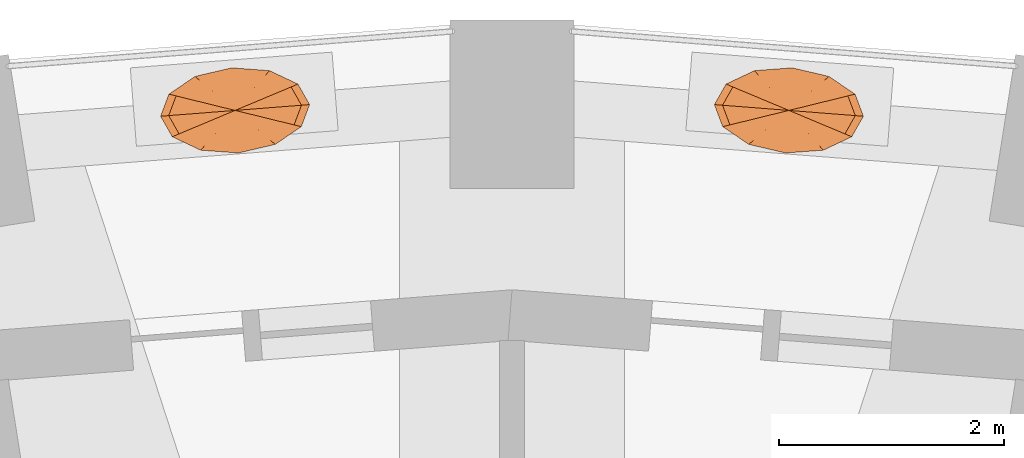
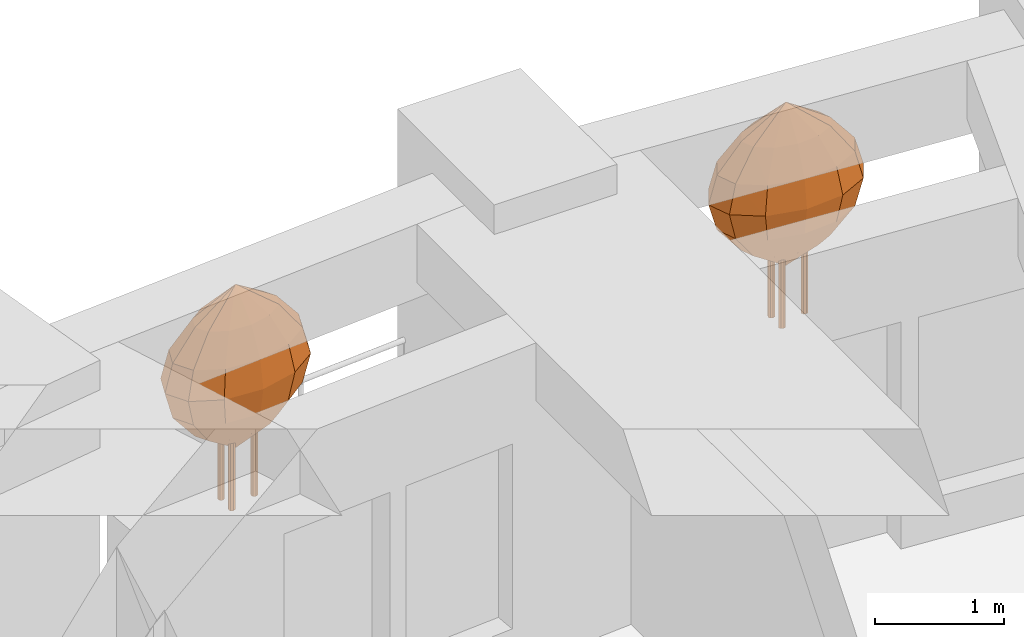
# One storey, part 13 of 13: 2 geographic elements.
"""IFC4 building model written with IfcOpenShell, lengths in metres."""

import ifcopenshell
import ifcopenshell.guid

model = None  # the IFC model being written
_history = None  # IfcOwnerHistory: only IFC2X3 demands one
_inside = {}  # id of a spatial element -> (the spatial element, [elements in it])
_under = {}  # id of a project, library or spatial element -> (it, [spatial elements below it])
_declared = {}  # id of a project -> (the project, [libraries it declares])
_typed = {}  # id of a type object -> (the type object, [elements of that type])
_made_of = {}  # id of a material, layer set ... -> (it, [elements and type objects made of it])


def new_model(schema):
    """Start an empty IFC model of exactly this schema.

    Asked for "IFC4X3", IfcOpenShell would pick the latest addendum, in which some entities
    have other attributes; the version numbers below select the first issue.
    IFC2X3 requires an IfcOwnerHistory on every rooted entity: one is made here for all.
    """
    global model, _history
    if schema == "IFC4X3":
        model = ifcopenshell.file(schema_version=(4, 3, 0, 0))
    else:
        model = ifcopenshell.file(schema=schema)
    _inside.clear()
    _under.clear()
    _declared.clear()
    _typed.clear()
    _made_of.clear()
    _history = None
    if model.schema == "IFC2X3":
        org = make("IfcOrganization", Name="unknown")
        user = make(
            "IfcPersonAndOrganization",
            ThePerson=make("IfcPerson", FamilyName="unknown"),
            TheOrganization=org,
        )
        app = make(
            "IfcApplication",
            ApplicationDeveloper=org,
            Version="unknown",
            ApplicationFullName="unknown",
            ApplicationIdentifier="unknown",
        )
        _history = make(
            "IfcOwnerHistory",
            OwningUser=user,
            OwningApplication=app,
            ChangeAction="ADDED",
            CreationDate=0,
        )
    return model


def make(cls, **values):
    """One entity of the class cls with the attributes given. An attribute that is None is left unset."""
    return model.create_entity(
        cls, **{name: value for name, value in values.items() if value is not None}
    )


def rooted(cls, **values):
    """An entity with a GlobalId (a new one), such as an element, a storey or a relation."""
    return make(cls, GlobalId=ifcopenshell.guid.new(), OwnerHistory=_history, **values)


def si_unit(unit_type, name, prefix=None):
    """IfcSIUnit, for example si_unit("LENGTHUNIT", "METRE", prefix="MILLI")."""
    return make("IfcSIUnit", UnitType=unit_type, Prefix=prefix, Name=name)


def assignment(units):
    """IfcUnitAssignment: the units of a project."""
    return None if units is None else make("IfcUnitAssignment", Units=units)


def point(xyz):
    """IfcCartesianPoint."""
    return None if xyz is None else make("IfcCartesianPoint", Coordinates=xyz)


def direction(xyz):
    """IfcDirection."""
    return None if xyz is None else make("IfcDirection", DirectionRatios=xyz)


def frame(location, z_axis=None, x_axis=None):
    """IfcAxis2Placement3D, a coordinate frame: its origin and axes. An axis left out is left unset."""
    return make(
        "IfcAxis2Placement3D",
        Location=point(location),
        Axis=direction(z_axis),
        RefDirection=direction(x_axis),
    )


def origin():
    """The frame at (0, 0, 0) with its axes left unset."""
    return frame((0.0, 0.0, 0.0))


def place(relative_to, where):
    """IfcLocalPlacement: puts the frame where relative to a parent placement (None: the world)."""
    return make(
        "IfcLocalPlacement", PlacementRelTo=relative_to, RelativePlacement=where
    )


def context(
    kind, dimensions, precision=None, world=None, true_north=None, identifier=None
):
    """IfcGeometricRepresentationContext, for example the 3D "Model" context."""
    return make(
        "IfcGeometricRepresentationContext",
        ContextIdentifier=identifier,
        ContextType=kind,
        CoordinateSpaceDimension=dimensions,
        Precision=precision,
        WorldCoordinateSystem=world,
        TrueNorth=true_north,
    )


def subcontext(parent, identifier, kind, view, scale=None):
    """IfcGeometricRepresentationSubContext, for example "Body" below "Model"."""
    return make(
        "IfcGeometricRepresentationSubContext",
        ContextIdentifier=identifier,
        ContextType=kind,
        ParentContext=parent,
        TargetScale=scale,
        TargetView=view,
    )


def project(units=None, contexts=None):
    """IfcProject with its units and contexts."""
    return rooted(
        "IfcProject",
        Name="project",
        RepresentationContexts=contexts,
        UnitsInContext=assignment(units),
    )


def spatial(cls, under=None, at=None, **own):
    """A site, building, storey or space (cls), placed at a placement, below another one or the project."""
    s = rooted(cls, ObjectPlacement=at, **own)
    if under is not None:
        _under.setdefault(under.id(), (under, []))[1].append(s)
    return s


def faces_of(points, faces, orient=None, outer=None):
    """IfcFace entities. A face is a list of loops; a loop is a list of indices into points, from 0.

    orient and outer hold one flag for each loop. By default every Orientation is true, the
    first loop of a face is its IfcFaceOuterBound and the others are IfcFaceBound.
    """
    made = []
    for i, loops in enumerate(faces):
        bounds = []
        for j, loop in enumerate(loops):
            is_outer = j == 0 if outer is None else outer[i][j]
            bounds.append(
                make(
                    "IfcFaceOuterBound" if is_outer else "IfcFaceBound",
                    Bound=make("IfcPolyLoop", Polygon=[points[k] for k in loop]),
                    Orientation=True if orient is None else orient[i][j],
                )
            )
        made.append(make("IfcFace", Bounds=bounds))
    return made


def faceted_brep(points, faces, orient=None, outer=None, voids=None):
    """IfcFacetedBrep: a solid bounded by flat faces; with voids (closed shells), ...WithVoids."""
    shared = [point(p) for p in points]
    hull = make("IfcClosedShell", CfsFaces=faces_of(shared, faces, orient, outer))
    if voids is None:
        return make("IfcFacetedBrep", Outer=hull)
    return make(
        "IfcFacetedBrepWithVoids",
        Outer=hull,
        Voids=[
            make(cls, CfsFaces=faces_of(shared, fs, o, b)) for cls, fs, o, b in voids
        ],
    )


def shape(context_of_items, identifier, shape_type, items):
    """IfcShapeRepresentation: the items that make up one representation, for example the "Body"."""
    return make(
        "IfcShapeRepresentation",
        ContextOfItems=context_of_items,
        RepresentationIdentifier=identifier,
        RepresentationType=shape_type,
        Items=items,
    )


def material(Name=None, Category=None):
    """IfcMaterial."""
    return make("IfcMaterial", Name=Name, Category=Category)


def constituent(of_material, Name=None, Category=None, fraction=None):
    """IfcMaterialConstituent: one of the materials an element consists of."""
    return make(
        "IfcMaterialConstituent",
        Name=Name,
        Material=of_material,
        Fraction=fraction,
        Category=Category,
    )


def constituent_set(constituents=None, Name=None):
    """IfcMaterialConstituentSet."""
    return make(
        "IfcMaterialConstituentSet", Name=Name, MaterialConstituents=constituents
    )


def made_of(thing, what):
    """Note that an element or type object is made of a material, layer set ...; save() writes the relation."""
    if what is not None:
        _made_of.setdefault(what.id(), (what, []))[1].append(thing)
    return thing


def type_object(cls, material=None, **own):
    """A type object (cls), such as IfcWallType, which elements share."""
    return made_of(rooted(cls, **own), material)


def element(
    cls,
    number,
    at=None,
    inside=None,
    cuts=None,
    type_object=None,
    material=None,
    context=None,
    identifier="Body",
    shape_type=None,
    held_by="IfcProductDefinitionShape",
    body=None,
    shapes=None,
    **own,
):
    """One element of the class cls, such as IfcWall. Its Tag is "e" and its number.

    at: its placement. inside: the storey or other place that contains it. cuts: it is an
    opening in that element (IfcRelVoidsElement). A single representation is given by context,
    identifier, shape_type and body (its items); several are given by shapes. held_by: the class
    of the entity that holds the representations. save() writes the other relations.
    """
    e = rooted(cls, Tag="e%d" % number, ObjectPlacement=at, **own)
    if body is not None:
        shapes = [shape(context, identifier, shape_type, body)]
    if shapes is not None:
        e.Representation = make(held_by, Representations=shapes)
    if inside is not None:
        _inside.setdefault(inside.id(), (inside, []))[1].append(e)
    if cuts is not None:
        rooted(
            "IfcRelVoidsElement", RelatingBuildingElement=cuts, RelatedOpeningElement=e
        )
    if type_object is not None:
        _typed.setdefault(type_object.id(), (type_object, []))[1].append(e)
    return made_of(e, material)


def aggregate(whole, parts):
    """IfcRelAggregates: a whole, such as a stair, and the parts it consists of."""
    return rooted("IfcRelAggregates", RelatingObject=whole, RelatedObjects=parts)


def save(model, path):
    """Write the relations noted so far, then the file.

    IfcRelAggregates (storeys below a building ...), IfcRelContainedInSpatialStructure (elements
    in a storey), IfcRelDefinesByType, IfcRelAssociatesMaterial and IfcRelDeclares: one each for
    every whole, place, type object, material and project.
    """
    for whole, parts in _under.values():
        aggregate(whole, parts)
    for where, things in _inside.values():
        rooted(
            "IfcRelContainedInSpatialStructure",
            RelatedElements=things,
            RelatingStructure=where,
        )
    for kind, things in _typed.values():
        rooted("IfcRelDefinesByType", RelatedObjects=things, RelatingType=kind)
    for what, things in _made_of.values():
        rooted("IfcRelAssociatesMaterial", RelatedObjects=things, RelatingMaterial=what)
    for by, libraries in _declared.values():
        rooted("IfcRelDeclares", RelatingContext=by, RelatedDefinitions=libraries)
    model.write(path)


model = new_model("IFC4")

# Units and contexts
model_context = context("Model", 3, precision=1e-05, world=origin(), true_north=direction((0.0, 1.0)))
body_context = subcontext(model_context, "Body", "Model", "MODEL_VIEW")
ifc_project = project(units=[si_unit("LENGTHUNIT", "METRE"), si_unit("AREAUNIT", "SQUARE_METRE"), si_unit("VOLUMEUNIT", "CUBIC_METRE"), si_unit("PLANEANGLEUNIT", "RADIAN"), si_unit("MASSUNIT", "GRAM", prefix="KILO")], contexts=[model_context])

# Site, building, storey
site_placement = place(None, origin())
site = spatial("IfcSite", under=ifc_project, at=site_placement, CompositionType="ELEMENT")
building_placement = place(site_placement, origin())
building = spatial("IfcBuilding", under=site, at=building_placement, Name="Taillehof Tower", CompositionType="ELEMENT")
storey_placement = place(building_placement, frame((0.0, 0.0, 54.699951171875)))
storey = spatial("IfcBuildingStorey", under=building, at=storey_placement, Name="L14", CompositionType="ELEMENT", Elevation=54.699951171875)

# Geographic elements
ifc_material_1 = material(Name="Tree bark", Category="timber")
ifc_constituent_1 = constituent(ifc_material_1, Name="Trunk", Category="timber")
ifc_material_2 = material(Name="Tree foliage")
ifc_constituent_2 = constituent(ifc_material_2, Name="Crown")
ifc_constituent_set = constituent_set(constituents=[ifc_constituent_1, ifc_constituent_2], Name="Tree TR3 Multi-stem serviceberry")
geographic_element_type = type_object("IfcGeographicElementType", Name="Tree TR3 Multi-stem serviceberry", PredefinedType="USERDEFINED", material=ifc_constituent_set)
geographic_element_1_placement = place(storey_placement, frame((2.463623046875, 25.195556640625, 0.75)))
element("IfcGeographicElement", 1, at=geographic_element_1_placement, inside=storey, type_object=geographic_element_type, Name="Tree TR3 Multi-stem serviceberry", ObjectType="TREE", PredefinedType="USERDEFINED", context=body_context, shape_type="Brep", body=[
    faceted_brep([(0.195068359375, 0.0, 0.0), (0.186767578125, 0.0205078125, 0.0), (0.186767578125, 0.0205078125, 1.04248046875), (0.195068359375, 0.0, 1.04248046875), (0.166259765625, 0.02880859375, 0.0), (0.166259765625, 0.02880859375, 1.04248046875), (0.145751953125, 0.0205078125, 0.0), (0.145751953125, 0.0205078125, 1.04248046875), (0.137451171875, 0.0, 0.0), (0.137451171875, 0.0, 1.04248046875), (0.145751953125, -0.0205078125, 0.0), (0.145751953125, -0.0205078125, 1.04248046875), (0.166259765625, -0.02880859375, 0.0), (0.166259765625, -0.02880859375, 1.04248046875), (0.186767578125, -0.0205078125, 0.0), (0.186767578125, -0.0205078125, 1.04248046875)], [[[0, 1, 2, 3]], [[1, 4, 5, 2]], [[4, 6, 7, 5]], [[6, 8, 9, 7]], [[8, 10, 11, 9]], [[10, 12, 13, 11]], [[12, 14, 15, 13]], [[14, 0, 3, 15]], [[14, 12, 10, 8, 6, 4, 1, 0]], [[3, 2, 5, 7, 9, 11, 13, 15]]]),
    faceted_brep([(-0.05419921875, 0.082275390625, 0.0), (-0.062744140625, 0.102783203125, 0.0), (-0.062744140625, 0.102783203125, 1.04248046875), (-0.05419921875, 0.082275390625, 1.04248046875), (-0.0830078125, 0.111083984375, 0.0), (-0.0830078125, 0.111083984375, 1.04248046875), (-0.103515625, 0.102783203125, 0.0), (-0.103515625, 0.102783203125, 1.04248046875), (-0.112060546875, 0.082275390625, 0.0), (-0.112060546875, 0.082275390625, 1.04248046875), (-0.103515625, 0.061767578125, 0.0), (-0.103515625, 0.061767578125, 1.04248046875), (-0.0830078125, 0.053466796875, 0.0), (-0.0830078125, 0.053466796875, 1.04248046875), (-0.062744140625, 0.061767578125, 0.0), (-0.062744140625, 0.061767578125, 1.04248046875)], [[[0, 1, 2, 3]], [[1, 4, 5, 2]], [[4, 6, 7, 5]], [[6, 8, 9, 7]], [[8, 10, 11, 9]], [[10, 12, 13, 11]], [[12, 14, 15, 13]], [[14, 0, 3, 15]], [[14, 12, 10, 8, 6, 4, 1, 0]], [[3, 2, 5, 7, 9, 11, 13, 15]]]),
    faceted_brep([(-0.05419921875, -0.082275390625, 0.0), (-0.062744140625, -0.061767578125, 0.0), (-0.062744140625, -0.061767578125, 1.04248046875), (-0.05419921875, -0.082275390625, 1.04248046875), (-0.0830078125, -0.053466796875, 0.0), (-0.0830078125, -0.053466796875, 1.04248046875), (-0.103515625, -0.061767578125, 0.0), (-0.103515625, -0.061767578125, 1.04248046875), (-0.112060546875, -0.082275390625, 0.0), (-0.112060546875, -0.082275390625, 1.04248046875), (-0.103515625, -0.102783203125, 0.0), (-0.103515625, -0.102783203125, 1.04248046875), (-0.0830078125, -0.111083984375, 0.0), (-0.0830078125, -0.111083984375, 1.04248046875), (-0.062744140625, -0.102783203125, 0.0), (-0.062744140625, -0.102783203125, 1.04248046875)], [[[0, 1, 2, 3]], [[1, 4, 5, 2]], [[4, 6, 7, 5]], [[6, 8, 9, 7]], [[8, 10, 11, 9]], [[10, 12, 13, 11]], [[12, 14, 15, 13]], [[14, 0, 3, 15]], [[14, 12, 10, 8, 6, 4, 1, 0]], [[3, 2, 5, 7, 9, 11, 13, 15]]]),
    faceted_brep([(0.0, 0.0, 0.5), (-0.33837890625, -0.0830078125, 0.75830078125), (-0.380859375, 0.02978515625, 0.75830078125), (-0.205078125, -0.173583984375, 0.75830078125), (-0.01708984375, -0.217529296875, 0.75830078125), (0.175537109375, -0.203369140625, 0.75830078125), (0.3212890625, -0.134521484375, 0.75830078125), (0.380859375, -0.02978515625, 0.75830078125), (0.33837890625, 0.0830078125, 0.75830078125), (0.205078125, 0.173583984375, 0.75830078125), (0.01708984375, 0.217529296875, 0.75830078125), (-0.175537109375, 0.203369140625, 0.75830078125), (-0.3212890625, 0.134521484375, 0.75830078125), (-0.52490234375, -0.12890625, 1.0166015625), (-0.5908203125, 0.046142578125, 1.0166015625), (-0.318359375, -0.269287109375, 1.0166015625), (-0.0263671875, -0.337646484375, 1.0166015625), (0.272705078125, -0.3154296875, 1.0166015625), (0.49853515625, -0.208740234375, 1.0166015625), (0.5908203125, -0.046142578125, 1.0166015625), (0.52490234375, 0.12890625, 1.0166015625), (0.318359375, 0.269287109375, 1.0166015625), (0.0263671875, 0.337646484375, 1.0166015625), (-0.272705078125, 0.3154296875, 1.0166015625), (-0.49853515625, 0.208740234375, 1.0166015625), (-0.5888671875, -0.14453125, 1.27490234375), (-0.6630859375, 0.0517578125, 1.27490234375), (-0.357177734375, -0.30224609375, 1.27490234375), (-0.029541015625, -0.37890625, 1.27490234375), (0.305908203125, -0.35400390625, 1.27490234375), (0.559326171875, -0.234375, 1.27490234375), (0.6630859375, -0.0517578125, 1.27490234375), (0.5888671875, 0.14453125, 1.27490234375), (0.357177734375, 0.30224609375, 1.27490234375), (0.029541015625, 0.37890625, 1.27490234375), (-0.305908203125, 0.35400390625, 1.27490234375), (-0.559326171875, 0.234375, 1.27490234375), (-0.52490234375, -0.12890625, 1.533447265625), (-0.5908203125, 0.046142578125, 1.533447265625), (-0.318359375, -0.269287109375, 1.533447265625), (-0.0263671875, -0.337646484375, 1.533447265625), (0.272705078125, -0.3154296875, 1.533447265625), (0.49853515625, -0.208740234375, 1.533447265625), (0.5908203125, -0.046142578125, 1.533447265625), (0.52490234375, 0.12890625, 1.533447265625), (0.318359375, 0.269287109375, 1.533447265625), (0.0263671875, 0.337646484375, 1.533447265625), (-0.272705078125, 0.3154296875, 1.533447265625), (-0.49853515625, 0.208740234375, 1.533447265625), (-0.33837890625, -0.0830078125, 1.791748046875), (-0.380859375, 0.02978515625, 1.791748046875), (-0.205078125, -0.173583984375, 1.791748046875), (-0.01708984375, -0.217529296875, 1.791748046875), (0.175537109375, -0.203369140625, 1.791748046875), (0.3212890625, -0.134521484375, 1.791748046875), (0.380859375, -0.02978515625, 1.791748046875), (0.33837890625, 0.0830078125, 1.791748046875), (0.205078125, 0.173583984375, 1.791748046875), (0.01708984375, 0.217529296875, 1.791748046875), (-0.175537109375, 0.203369140625, 1.791748046875), (-0.3212890625, 0.134521484375, 1.791748046875), (0.0, 0.0, 2.050048828125)], [[[0, 1, 2]], [[0, 3, 1]], [[0, 4, 3]], [[0, 5, 4]], [[0, 6, 5]], [[0, 7, 6]], [[0, 8, 7]], [[0, 9, 8]], [[0, 10, 9]], [[0, 11, 10]], [[0, 12, 11]], [[0, 2, 12]], [[2, 1, 13, 14]], [[1, 3, 15, 13]], [[3, 4, 16, 15]], [[4, 5, 17, 16]], [[5, 6, 18, 17]], [[6, 7, 19, 18]], [[7, 8, 20, 19]], [[8, 9, 21, 20]], [[9, 10, 22, 21]], [[10, 11, 23, 22]], [[11, 12, 24, 23]], [[12, 2, 14, 24]], [[14, 13, 25, 26]], [[13, 15, 27, 25]], [[15, 16, 28, 27]], [[16, 17, 29, 28]], [[17, 18, 30, 29]], [[18, 19, 31, 30]], [[19, 20, 32, 31]], [[20, 21, 33, 32]], [[21, 22, 34, 33]], [[22, 23, 35, 34]], [[23, 24, 36, 35]], [[24, 14, 26, 36]], [[26, 25, 37, 38]], [[25, 27, 39, 37]], [[27, 28, 40, 39]], [[28, 29, 41, 40]], [[29, 30, 42, 41]], [[30, 31, 43, 42]], [[31, 32, 44, 43]], [[32, 33, 45, 44]], [[33, 34, 46, 45]], [[34, 35, 47, 46]], [[35, 36, 48, 47]], [[36, 26, 38, 48]], [[38, 37, 49, 50]], [[37, 39, 51, 49]], [[39, 40, 52, 51]], [[40, 41, 53, 52]], [[41, 42, 54, 53]], [[42, 43, 55, 54]], [[43, 44, 56, 55]], [[44, 45, 57, 56]], [[45, 46, 58, 57]], [[46, 47, 59, 58]], [[47, 48, 60, 59]], [[48, 38, 50, 60]], [[50, 49, 61]], [[49, 51, 61]], [[51, 52, 61]], [[52, 53, 61]], [[53, 54, 61]], [[54, 55, 61]], [[55, 56, 61]], [[56, 57, 61]], [[57, 58, 61]], [[58, 59, 61]], [[59, 60, 61]], [[60, 50, 61]]]),
])
geographic_element_2_placement = place(storey_placement, frame((-2.463623046875, 25.195556640625, 0.75)))
element("IfcGeographicElement", 2, at=geographic_element_2_placement, inside=storey, type_object=geographic_element_type, Name="Tree TR3 Multi-stem serviceberry", ObjectType="TREE", PredefinedType="USERDEFINED", context=body_context, shape_type="Brep", body=[
    faceted_brep([(0.195068359375, 0.0, 0.0), (0.186767578125, 0.0205078125, 0.0), (0.186767578125, 0.0205078125, 1.04248046875), (0.195068359375, 0.0, 1.04248046875), (0.166259765625, 0.02880859375, 0.0), (0.166259765625, 0.02880859375, 1.04248046875), (0.145751953125, 0.0205078125, 0.0), (0.145751953125, 0.0205078125, 1.04248046875), (0.137451171875, 0.0, 0.0), (0.137451171875, 0.0, 1.04248046875), (0.145751953125, -0.0205078125, 0.0), (0.145751953125, -0.0205078125, 1.04248046875), (0.166259765625, -0.02880859375, 0.0), (0.166259765625, -0.02880859375, 1.04248046875), (0.186767578125, -0.0205078125, 0.0), (0.186767578125, -0.0205078125, 1.04248046875)], [[[0, 1, 2, 3]], [[1, 4, 5, 2]], [[4, 6, 7, 5]], [[6, 8, 9, 7]], [[8, 10, 11, 9]], [[10, 12, 13, 11]], [[12, 14, 15, 13]], [[14, 0, 3, 15]], [[14, 12, 10, 8, 6, 4, 1, 0]], [[3, 2, 5, 7, 9, 11, 13, 15]]]),
    faceted_brep([(-0.05419921875, 0.082275390625, 0.0), (-0.062744140625, 0.102783203125, 0.0), (-0.062744140625, 0.102783203125, 1.04248046875), (-0.05419921875, 0.082275390625, 1.04248046875), (-0.0830078125, 0.111083984375, 0.0), (-0.0830078125, 0.111083984375, 1.04248046875), (-0.103515625, 0.102783203125, 0.0), (-0.103515625, 0.102783203125, 1.04248046875), (-0.112060546875, 0.082275390625, 0.0), (-0.112060546875, 0.082275390625, 1.04248046875), (-0.103515625, 0.061767578125, 0.0), (-0.103515625, 0.061767578125, 1.04248046875), (-0.0830078125, 0.053466796875, 0.0), (-0.0830078125, 0.053466796875, 1.04248046875), (-0.062744140625, 0.061767578125, 0.0), (-0.062744140625, 0.061767578125, 1.04248046875)], [[[0, 1, 2, 3]], [[1, 4, 5, 2]], [[4, 6, 7, 5]], [[6, 8, 9, 7]], [[8, 10, 11, 9]], [[10, 12, 13, 11]], [[12, 14, 15, 13]], [[14, 0, 3, 15]], [[14, 12, 10, 8, 6, 4, 1, 0]], [[3, 2, 5, 7, 9, 11, 13, 15]]]),
    faceted_brep([(-0.05419921875, -0.082275390625, 0.0), (-0.062744140625, -0.061767578125, 0.0), (-0.062744140625, -0.061767578125, 1.04248046875), (-0.05419921875, -0.082275390625, 1.04248046875), (-0.0830078125, -0.053466796875, 0.0), (-0.0830078125, -0.053466796875, 1.04248046875), (-0.103515625, -0.061767578125, 0.0), (-0.103515625, -0.061767578125, 1.04248046875), (-0.112060546875, -0.082275390625, 0.0), (-0.112060546875, -0.082275390625, 1.04248046875), (-0.103515625, -0.102783203125, 0.0), (-0.103515625, -0.102783203125, 1.04248046875), (-0.0830078125, -0.111083984375, 0.0), (-0.0830078125, -0.111083984375, 1.04248046875), (-0.062744140625, -0.102783203125, 0.0), (-0.062744140625, -0.102783203125, 1.04248046875)], [[[0, 1, 2, 3]], [[1, 4, 5, 2]], [[4, 6, 7, 5]], [[6, 8, 9, 7]], [[8, 10, 11, 9]], [[10, 12, 13, 11]], [[12, 14, 15, 13]], [[14, 0, 3, 15]], [[14, 12, 10, 8, 6, 4, 1, 0]], [[3, 2, 5, 7, 9, 11, 13, 15]]]),
    faceted_brep([(0.0, 0.0, 0.5), (-0.3212890625, -0.134521484375, 0.75830078125), (-0.380859375, -0.02978515625, 0.75830078125), (-0.175537109375, -0.203369140625, 0.75830078125), (0.01708984375, -0.217529296875, 0.75830078125), (0.205078125, -0.173583984375, 0.75830078125), (0.33837890625, -0.0830078125, 0.75830078125), (0.380859375, 0.02978515625, 0.75830078125), (0.3212890625, 0.134521484375, 0.75830078125), (0.175537109375, 0.203369140625, 0.75830078125), (-0.01708984375, 0.217529296875, 0.75830078125), (-0.205078125, 0.173583984375, 0.75830078125), (-0.33837890625, 0.0830078125, 0.75830078125), (-0.49853515625, -0.208740234375, 1.0166015625), (-0.5908203125, -0.046142578125, 1.0166015625), (-0.272705078125, -0.3154296875, 1.0166015625), (0.0263671875, -0.337646484375, 1.0166015625), (0.318359375, -0.269287109375, 1.0166015625), (0.52490234375, -0.12890625, 1.0166015625), (0.5908203125, 0.046142578125, 1.0166015625), (0.49853515625, 0.208740234375, 1.0166015625), (0.272705078125, 0.3154296875, 1.0166015625), (-0.0263671875, 0.337646484375, 1.0166015625), (-0.318359375, 0.269287109375, 1.0166015625), (-0.52490234375, 0.12890625, 1.0166015625), (-0.559326171875, -0.234375, 1.27490234375), (-0.6630859375, -0.0517578125, 1.27490234375), (-0.305908203125, -0.35400390625, 1.27490234375), (0.029541015625, -0.37890625, 1.27490234375), (0.357177734375, -0.30224609375, 1.27490234375), (0.5888671875, -0.14453125, 1.27490234375), (0.6630859375, 0.0517578125, 1.27490234375), (0.559326171875, 0.234375, 1.27490234375), (0.305908203125, 0.35400390625, 1.27490234375), (-0.029541015625, 0.37890625, 1.27490234375), (-0.357177734375, 0.30224609375, 1.27490234375), (-0.5888671875, 0.14453125, 1.27490234375), (-0.49853515625, -0.208740234375, 1.533447265625), (-0.5908203125, -0.046142578125, 1.533447265625), (-0.272705078125, -0.3154296875, 1.533447265625), (0.0263671875, -0.337646484375, 1.533447265625), (0.318359375, -0.269287109375, 1.533447265625), (0.52490234375, -0.12890625, 1.533447265625), (0.5908203125, 0.046142578125, 1.533447265625), (0.49853515625, 0.208740234375, 1.533447265625), (0.272705078125, 0.3154296875, 1.533447265625), (-0.0263671875, 0.337646484375, 1.533447265625), (-0.318359375, 0.269287109375, 1.533447265625), (-0.52490234375, 0.12890625, 1.533447265625), (-0.3212890625, -0.134521484375, 1.791748046875), (-0.380859375, -0.02978515625, 1.791748046875), (-0.175537109375, -0.203369140625, 1.791748046875), (0.01708984375, -0.217529296875, 1.791748046875), (0.205078125, -0.173583984375, 1.791748046875), (0.33837890625, -0.0830078125, 1.791748046875), (0.380859375, 0.02978515625, 1.791748046875), (0.3212890625, 0.134521484375, 1.791748046875), (0.175537109375, 0.203369140625, 1.791748046875), (-0.01708984375, 0.217529296875, 1.791748046875), (-0.205078125, 0.173583984375, 1.791748046875), (-0.33837890625, 0.0830078125, 1.791748046875), (0.0, 0.0, 2.050048828125)], [[[0, 1, 2]], [[0, 3, 1]], [[0, 4, 3]], [[0, 5, 4]], [[0, 6, 5]], [[0, 7, 6]], [[0, 8, 7]], [[0, 9, 8]], [[0, 10, 9]], [[0, 11, 10]], [[0, 12, 11]], [[0, 2, 12]], [[2, 1, 13, 14]], [[1, 3, 15, 13]], [[3, 4, 16, 15]], [[4, 5, 17, 16]], [[5, 6, 18, 17]], [[6, 7, 19, 18]], [[7, 8, 20, 19]], [[8, 9, 21, 20]], [[9, 10, 22, 21]], [[10, 11, 23, 22]], [[11, 12, 24, 23]], [[12, 2, 14, 24]], [[14, 13, 25, 26]], [[13, 15, 27, 25]], [[15, 16, 28, 27]], [[16, 17, 29, 28]], [[17, 18, 30, 29]], [[18, 19, 31, 30]], [[19, 20, 32, 31]], [[20, 21, 33, 32]], [[21, 22, 34, 33]], [[22, 23, 35, 34]], [[23, 24, 36, 35]], [[24, 14, 26, 36]], [[26, 25, 37, 38]], [[25, 27, 39, 37]], [[27, 28, 40, 39]], [[28, 29, 41, 40]], [[29, 30, 42, 41]], [[30, 31, 43, 42]], [[31, 32, 44, 43]], [[32, 33, 45, 44]], [[33, 34, 46, 45]], [[34, 35, 47, 46]], [[35, 36, 48, 47]], [[36, 26, 38, 48]], [[38, 37, 49, 50]], [[37, 39, 51, 49]], [[39, 40, 52, 51]], [[40, 41, 53, 52]], [[41, 42, 54, 53]], [[42, 43, 55, 54]], [[43, 44, 56, 55]], [[44, 45, 57, 56]], [[45, 46, 58, 57]], [[46, 47, 59, 58]], [[47, 48, 60, 59]], [[48, 38, 50, 60]], [[50, 49, 61]], [[49, 51, 61]], [[51, 52, 61]], [[52, 53, 61]], [[53, 54, 61]], [[54, 55, 61]], [[55, 56, 61]], [[56, 57, 61]], [[57, 58, 61]], [[58, 59, 61]], [[59, 60, 61]], [[60, 50, 61]]]),
])

save(model, "model.ifc")
